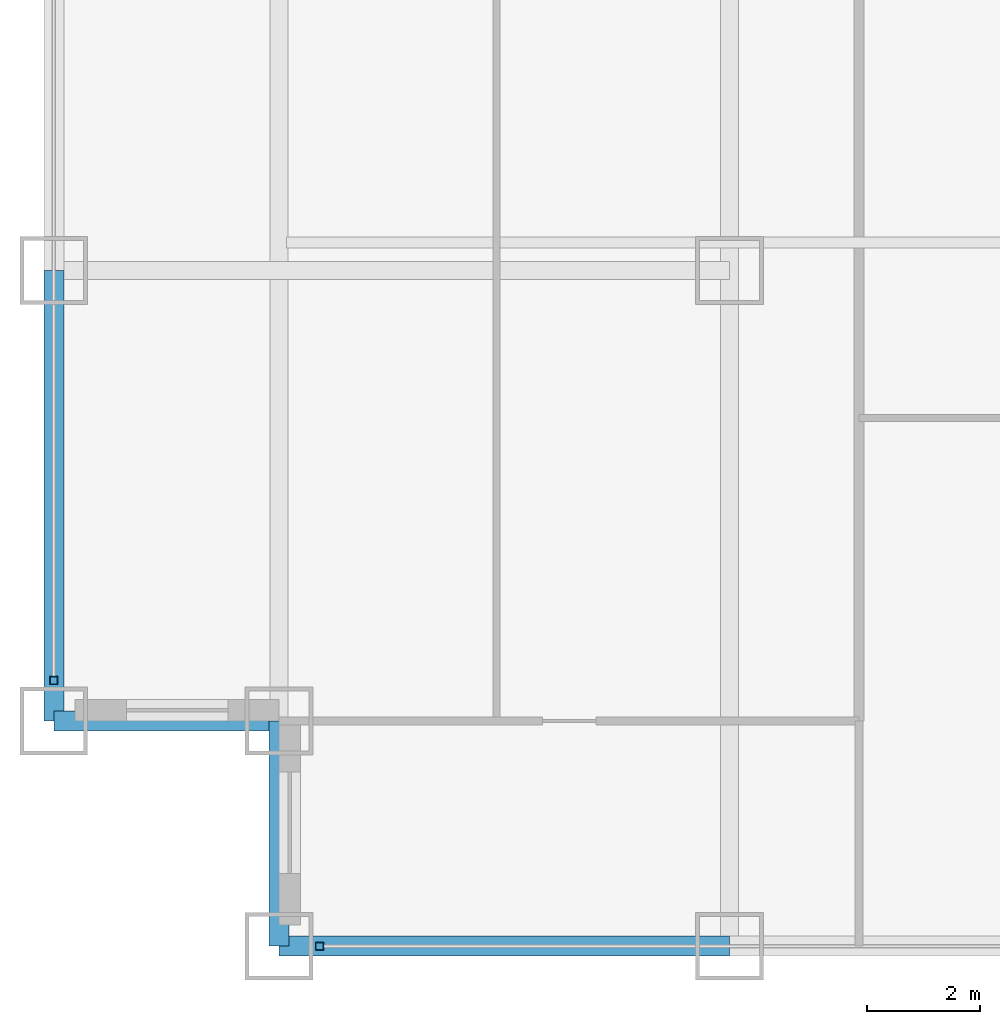
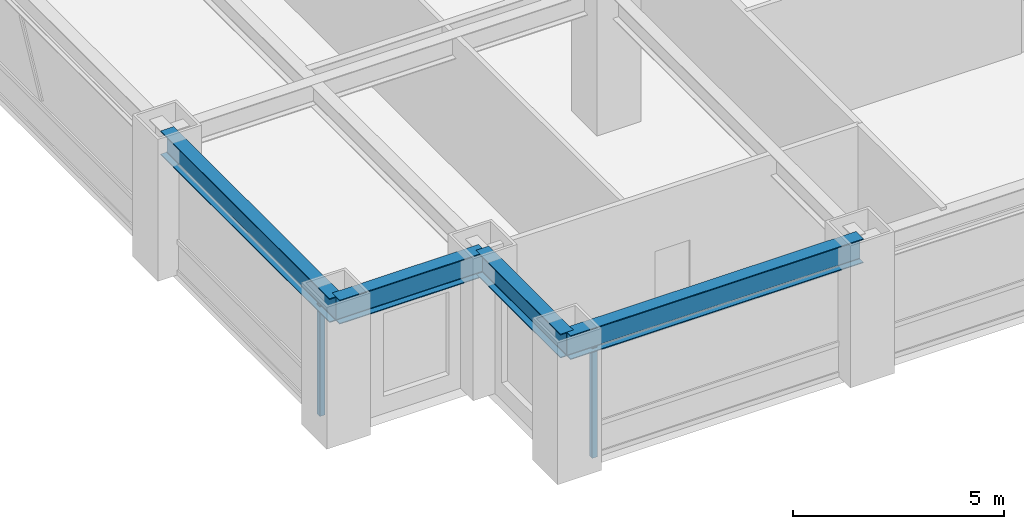
# One storey, part 2 of 27: 4 beams, 2 members, 2 elements without a shape of their own.
"""IFC4 building model written with IfcOpenShell, lengths in metres."""

from ifc_helpers import new_model, si_unit, direction, frame, origin, origin_2d, place, context, subcontext, project, spatial, hollow_rectangle, i_section, extrude, source, transform, mapped, material, material_profile, profile_set, type_object, element, aggregate, save


model = new_model("IFC4")

# Units and contexts
model_context = context("Model", 3, precision=1e-05, world=origin(), true_north=direction((0.0, 1.0)))
body_context = subcontext(model_context, "Body", "Model", "MODEL_VIEW")
ifc_project = project(units=[si_unit("LENGTHUNIT", "METRE"), si_unit("AREAUNIT", "SQUARE_METRE"), si_unit("VOLUMEUNIT", "CUBIC_METRE"), si_unit("PLANEANGLEUNIT", "RADIAN"), si_unit("MASSUNIT", "GRAM", prefix="KILO")], contexts=[model_context])

# Site, building, storey
site_placement = place(None, origin())
site = spatial("IfcSite", under=ifc_project, at=site_placement, CompositionType="ELEMENT")
building_placement = place(site_placement, origin())
building = spatial("IfcBuilding", under=site, at=building_placement, Name="Khorayat Bourse Tower", CompositionType="ELEMENT")
storey_placement = place(building_placement, frame((0.0, 0.0, 140.60009765625)))
storey = spatial("IfcBuildingStorey", under=building, at=storey_placement, Name="L32", CompositionType="ELEMENT", Elevation=140.60009765625)

# Beams
ifc_material_1 = material(Name="Steel ASTM A992 Grade 50", Category="steel")
ifc_material_profile_1 = material_profile(ifc_material_1, i_section(OverallWidth=0.35498046875, OverallDepth=0.695068359375, WebThickness=0.015380859375, FlangeThickness=0.02490234375, FilletRadius=0.01806640625, at=origin_2d()), Name="W690X217")
ifc_profile_set_1 = profile_set([ifc_material_profile_1], Name="Steel ASTM A992 Grade 50")
beam_type = type_object("IfcBeamType", Name="BM-SPAN-690", PredefinedType="SPANDREL", material=ifc_profile_set_1)
shared_shape_1 = source(origin(), body_context, "Body", "SweptSolid", [
    extrude(i_section(OverallWidth=0.35498046875, OverallDepth=0.695068359375, WebThickness=0.015380859375, FlangeThickness=0.02490234375, FilletRadius=0.01806640625, at=origin_2d()), origin(), (0.0, 0.0, 1.0), 8.0),
])
for number, where, z_axis, x_axis, name in (
    (1, (-28.0, -32.0, 3.492431640625), (1.0, 0.0, 0.0), (0.0, 1.0, 0.0), "L32 BM-SPAN-690 BM-L32-SPN-024"),
    (2, (-32.0, -28.0, 3.492431640625), (0.0, 1.0, 0.0), (-1.0, 0.0, 0.0), "L32 BM-SPAN-690 BM-L32-SPN-061"),
):
    element("IfcBeam", number, at=place(storey_placement, frame(where, z_axis=z_axis, x_axis=x_axis)), inside=storey, type_object=beam_type, Name=name, PredefinedType="SPANDREL", context=body_context, shape_type="MappedRepresentation", body=[
        mapped(shared_shape_1, transform((0.0, 0.0, 0.0), scale=1.0)),
    ])
shared_shape_2 = source(origin(), body_context, "Body", "SweptSolid", [
    extrude(i_section(OverallWidth=0.35498046875, OverallDepth=0.695068359375, WebThickness=0.015380859375, FlangeThickness=0.02490234375, FilletRadius=0.01806640625, at=origin_2d()), origin(), (0.0, 0.0, 1.0), 4.0),
])
for number, where, z_axis, x_axis, name in (
    (3, (-32.0, -28.0, 3.492431640625), (1.0, 0.0, 0.0), (0.0, 1.0, 0.0), "L32 BM-SPAN-690 BM-L32-SPN-062"),
    (4, (-28.0, -32.0, 3.492431640625), (0.0, 1.0, 0.0), (-1.0, 0.0, 0.0), "L32 BM-SPAN-690 BM-L32-SPN-063"),
):
    element("IfcBeam", number, at=place(storey_placement, frame(where, z_axis=z_axis, x_axis=x_axis)), inside=storey, type_object=beam_type, Name=name, PredefinedType="SPANDREL", context=body_context, shape_type="MappedRepresentation", body=[
        mapped(shared_shape_2, transform((0.0, 0.0, 0.0), scale=1.0)),
    ])

# Curtain wall, member
ifc_material_2 = material(Name="Aluminium EN AW-6063 T6", Category="aluminium")
curtain_wall_type = type_object("IfcCurtainWallType", Name="CW-SYS-02", PredefinedType="NOTDEFINED", material=ifc_material_2)
curtain_wall_1_placement = place(storey_placement, origin())
curtain_wall_1 = element("IfcCurtainWall", 5, at=curtain_wall_1_placement, inside=storey, type_object=curtain_wall_type, Name="L32 Curtain Wall CW-L32-S1", PredefinedType="NOTDEFINED")
ifc_material_profile_2 = material_profile(ifc_material_2, hollow_rectangle(XDim=0.139892578125, YDim=0.139892578125, WallThickness=0.006103515625, at=origin_2d()), Name="ALU 140x140x6")
ifc_profile_set_2 = profile_set([ifc_material_profile_2], Name="Aluminium EN AW-6063 T6")
member_type = type_object("IfcMemberType", Name="CWM-VERT-140", PredefinedType="MULLION", material=ifc_profile_set_2)
shared_shape_3 = source(origin(), body_context, "Body", "SweptSolid", [
    extrude(hollow_rectangle(XDim=0.139892578125, YDim=0.139892578125, WallThickness=0.006103515625, at=origin_2d()), origin(), (0.0, 0.0, 1.0), 3.18994140625),
])
member_1_placement = place(storey_placement, frame((-27.280029296875, -32.0, 0.0), z_axis=(0.0, 0.0, 1.0), x_axis=(0.0, 1.0, 0.0)))
member_1 = element("IfcMember", 6, at=member_1_placement, type_object=member_type, Name="CW-L32-S1 Vertical Mullion 1", PredefinedType="MULLION", context=body_context, shape_type="MappedRepresentation", body=[
    mapped(shared_shape_3, transform((0.0, 0.0, 0.0), scale=1.0)),
])
aggregate(curtain_wall_1, [member_1])

curtain_wall_2_placement = place(storey_placement, origin())
curtain_wall_2 = element("IfcCurtainWall", 7, at=curtain_wall_2_placement, inside=storey, type_object=curtain_wall_type, Name="L32 Curtain Wall CW-L32-W1", PredefinedType="NOTDEFINED")
member_2_placement = place(storey_placement, frame((-32.0, -27.280029296875, 0.0), z_axis=(0.0, 0.0, 1.0), x_axis=(-1.0, 0.0, 0.0)))
member_2 = element("IfcMember", 8, at=member_2_placement, type_object=member_type, Name="CW-L32-W1 Vertical Mullion 1", PredefinedType="MULLION", context=body_context, shape_type="MappedRepresentation", body=[
    mapped(shared_shape_3, transform((0.0, 0.0, 0.0), scale=1.0)),
])
aggregate(curtain_wall_2, [member_2])

save(model, "model.ifc")
